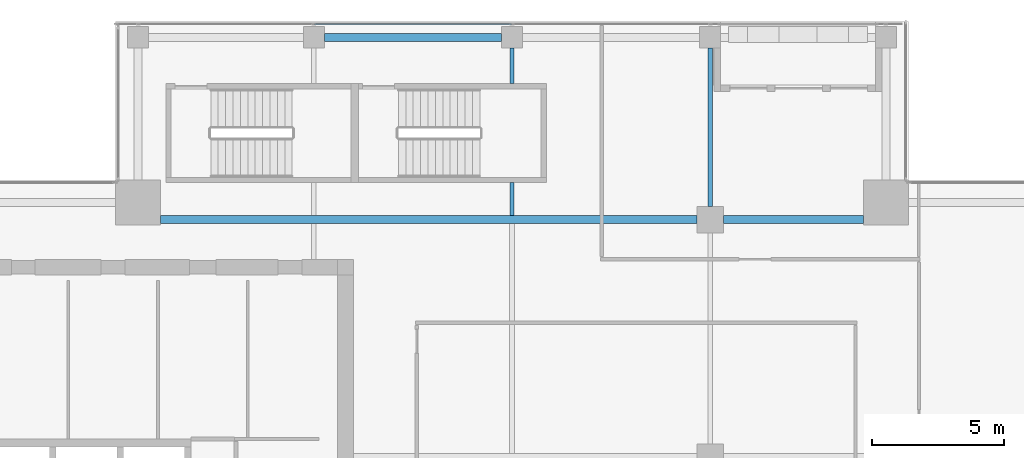
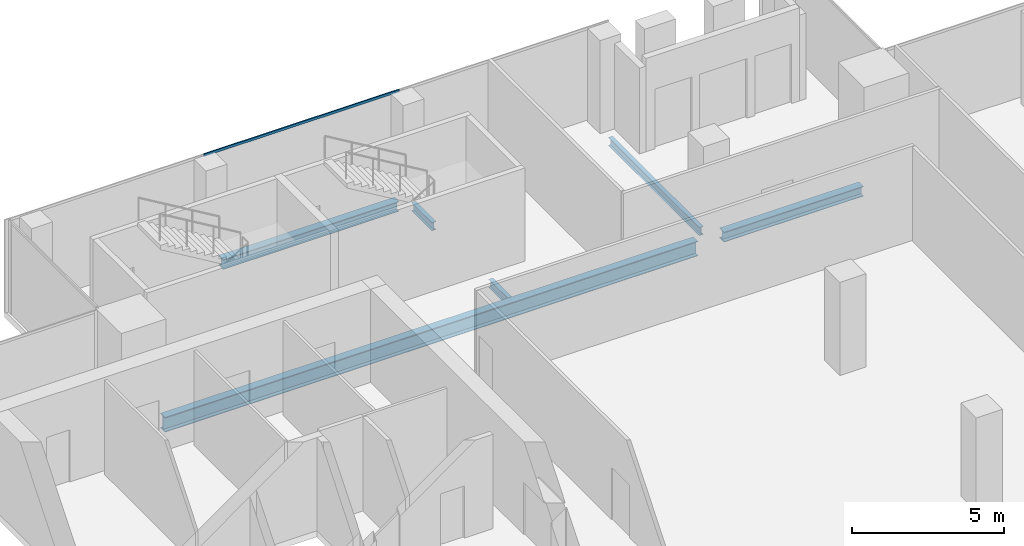
# One storey, part 16 of 29: 6 beams, 1 member, 1 element without a shape of its own.
"""IFC4 building model written with IfcOpenShell, lengths in metres."""

from ifc_helpers import new_model, si_unit, direction, frame, origin, origin_2d, place, context, subcontext, project, spatial, hollow_rectangle, i_section, extrude, source, transform, mapped, material, material_profile, profile_set, type_object, element, aggregate, save


model = new_model("IFC4")

# Units and contexts
model_context = context("Model", 3, precision=1e-05, world=origin(), true_north=direction((0.0, 1.0)))
body_context = subcontext(model_context, "Body", "Model", "MODEL_VIEW")
ifc_project = project(units=[si_unit("LENGTHUNIT", "METRE"), si_unit("AREAUNIT", "SQUARE_METRE"), si_unit("VOLUMEUNIT", "CUBIC_METRE"), si_unit("PLANEANGLEUNIT", "RADIAN"), si_unit("MASSUNIT", "GRAM", prefix="KILO")], contexts=[model_context])

# Site, building, storey
site_placement = place(None, origin())
site = spatial("IfcSite", under=ifc_project, at=site_placement, CompositionType="ELEMENT")
building_placement = place(site_placement, origin())
building = spatial("IfcBuilding", under=site, at=building_placement, Name="Khomas Fold Tower", CompositionType="ELEMENT")
storey_placement = place(building_placement, frame((0.0, 0.0, 322.199951171875)))
storey = spatial("IfcBuildingStorey", under=building, at=storey_placement, Name="L73", CompositionType="ELEMENT", Elevation=322.199951171875)

# Beams
ifc_material_1 = material(Name="Steel S355", Category="steel")
ifc_material_profile_1 = material_profile(ifc_material_1, i_section(OverallWidth=0.159912109375, OverallDepth=0.330078125, WebThickness=0.007568359375, FlangeThickness=0.011474609375, at=origin_2d()), Name="IPE 330")
ifc_profile_set_1 = profile_set([ifc_material_profile_1], Name="Steel S355")
beam_type_1 = type_object("IfcBeamType", Name="IPE 330 beam JB1", PredefinedType="BEAM", material=ifc_profile_set_1)
shared_shape_1 = source(origin(), body_context, "Body", "SweptSolid", [
    extrude(i_section(OverallWidth=0.159912109375, OverallDepth=0.330078125, WebThickness=0.007568359375, FlangeThickness=0.011474609375, at=origin_2d()), origin(), (0.0, 0.0, 1.0), 1.25),
])
beam_1_placement = place(storey_placement, frame((27.0, 40.64990234375, -0.4150390625), z_axis=(0.0, 1.0, 0.0), x_axis=(-1.0, 0.0, 0.0)))
element("IfcBeam", 1, at=beam_1_placement, inside=storey, type_object=beam_type_1, Name="JB1", PredefinedType="BEAM", context=body_context, shape_type="MappedRepresentation", body=[
    mapped(shared_shape_1, transform((0.0, 0.0, 0.0))),
])
shared_shape_2 = source(origin(), body_context, "Body", "SweptSolid", [
    extrude(i_section(OverallWidth=0.159912109375, OverallDepth=0.330078125, WebThickness=0.007568359375, FlangeThickness=0.011474609375, at=origin_2d()), origin(), (0.0, 0.0, 1.0), 1.35009765625),
])
beam_2_placement = place(storey_placement, frame((27.0, 45.64990234375, -0.4150390625), z_axis=(0.0, 1.0, 0.0), x_axis=(-1.0, 0.0, 0.0)))
element("IfcBeam", 2, at=beam_2_placement, inside=storey, type_object=beam_type_1, Name="JB1", PredefinedType="BEAM", context=body_context, shape_type="MappedRepresentation", body=[
    mapped(shared_shape_2, transform((0.0, 0.0, 0.0))),
])
ifc_material_2 = material(Name="Steel S355", Category="steel")
ifc_material_profile_2 = material_profile(ifc_material_2, i_section(OverallWidth=0.300048828125, OverallDepth=0.39990234375, WebThickness=0.013427734375, FlangeThickness=0.02392578125, at=origin_2d()), Name="HE 400 B")
ifc_profile_set_2 = profile_set([ifc_material_profile_2], Name="Steel S355")
beam_type_2 = type_object("IfcBeamType", Name="HE 400 B spandrel SB5", PredefinedType="SPANDREL", material=ifc_profile_set_2)
shared_shape_3 = source(origin(), body_context, "Body", "SweptSolid", [
    extrude(i_section(OverallWidth=0.300048828125, OverallDepth=0.39990234375, WebThickness=0.013427734375, FlangeThickness=0.02392578125, at=origin_2d()), origin(), (0.0, 0.0, 1.0), 6.7001953125),
])
beam_3_placement = place(storey_placement, frame((19.89990234375, 47.39990234375, -0.449951171875), z_axis=(1.0, 0.0, 0.0), x_axis=(0.0, 1.0, 0.0)))
element("IfcBeam", 3, at=beam_3_placement, inside=storey, type_object=beam_type_2, Name="SB5", PredefinedType="SPANDREL", context=body_context, shape_type="MappedRepresentation", body=[
    mapped(shared_shape_3, transform((0.0, 0.0, 0.0))),
])
ifc_material_3 = material(Name="Steel S355", Category="steel")
ifc_material_profile_3 = material_profile(ifc_material_3, i_section(OverallWidth=0.300048828125, OverallDepth=0.60009765625, WebThickness=0.015380859375, FlangeThickness=0.030029296875, at=origin_2d()), Name="HE 600 B")
ifc_profile_set_3 = profile_set([ifc_material_profile_3], Name="Steel S355")
beam_type_3 = type_object("IfcBeamType", Name="HE 600 B beam GB5", PredefinedType="BEAM", material=ifc_profile_set_3)
shared_shape_4 = source(origin(), body_context, "Body", "SweptSolid", [
    extrude(i_section(OverallWidth=0.300048828125, OverallDepth=0.60009765625, WebThickness=0.015380859375, FlangeThickness=0.030029296875, at=origin_2d()), origin(), (0.0, 0.0, 1.0), 20.300048828125),
])
beam_4_placement = place(storey_placement, frame((13.699951171875, 40.5, -0.550048828125), z_axis=(1.0, 0.0, 0.0), x_axis=(0.0, 1.0, 0.0)))
element("IfcBeam", 4, at=beam_4_placement, inside=storey, type_object=beam_type_3, Name="GB5", PredefinedType="BEAM", context=body_context, shape_type="MappedRepresentation", body=[
    mapped(shared_shape_4, transform((0.0, 0.0, 0.0))),
])
ifc_material_4 = material(Name="Steel S355", Category="steel")
ifc_material_profile_4 = material_profile(ifc_material_4, i_section(OverallWidth=0.300048828125, OverallDepth=0.39990234375, WebThickness=0.013427734375, FlangeThickness=0.02392578125, at=origin_2d()), Name="HE 400 B")
ifc_profile_set_4 = profile_set([ifc_material_profile_4], Name="Steel S355")
beam_type_4 = type_object("IfcBeamType", Name="HE 400 B beam GB1", PredefinedType="BEAM", material=ifc_profile_set_4)
shared_shape_5 = source(origin(), body_context, "Body", "SweptSolid", [
    extrude(i_section(OverallWidth=0.300048828125, OverallDepth=0.39990234375, WebThickness=0.013427734375, FlangeThickness=0.02392578125, at=origin_2d()), origin(), (0.0, 0.0, 1.0), 5.300048828125),
])
beam_5_placement = place(storey_placement, frame((35.0, 40.5, -0.449951171875), z_axis=(1.0, 0.0, 0.0), x_axis=(0.0, 1.0, 0.0)))
element("IfcBeam", 5, at=beam_5_placement, inside=storey, type_object=beam_type_4, Name="GB1", PredefinedType="BEAM", context=body_context, shape_type="MappedRepresentation", body=[
    mapped(shared_shape_5, transform((0.0, 0.0, 0.0))),
])
shared_shape_6 = source(origin(), body_context, "Body", "SweptSolid", [
    extrude(i_section(OverallWidth=0.159912109375, OverallDepth=0.330078125, WebThickness=0.007568359375, FlangeThickness=0.011474609375, at=origin_2d()), origin(), (0.0, 0.0, 1.0), 6.0),
])
beam_6_placement = place(storey_placement, frame((34.5, 41.0, -0.4150390625), z_axis=(0.0, 1.0, 0.0), x_axis=(-1.0, 0.0, 0.0)))
element("IfcBeam", 6, at=beam_6_placement, inside=storey, type_object=beam_type_1, Name="JB1", PredefinedType="BEAM", context=body_context, shape_type="MappedRepresentation", body=[
    mapped(shared_shape_6, transform((0.0, 0.0, 0.0))),
])

# Curtain wall, member
ifc_material_5 = material(Name="Aluminium framed double glazing", Category="aluminium")
curtain_wall_type = type_object("IfcCurtainWallType", Name="SK-Unitised clear-glass wall, upper floors CW3", PredefinedType="NOTDEFINED", material=ifc_material_5)
curtain_wall_placement = place(storey_placement, origin())
curtain_wall = element("IfcCurtainWall", 7, at=curtain_wall_placement, inside=storey, type_object=curtain_wall_type, Name="CW3 run L73 06-1", PredefinedType="NOTDEFINED")
ifc_material_6 = material(Name="Aluminium", Category="aluminium")
ifc_material_profile_5 = material_profile(ifc_material_6, hollow_rectangle(XDim=0.050048828125, YDim=0.10009765625, WallThickness=0.00390625, at=origin_2d()), Name="SK-Unitised clear-glass wall, upper floors transom CW3-T")
ifc_profile_set_5 = profile_set([ifc_material_profile_5], Name="Aluminium")
member_type = type_object("IfcMemberType", Name="SK-Unitised clear-glass wall, upper floors transom CW3-T", PredefinedType="USERDEFINED", material=ifc_profile_set_5)
shared_shape_7 = source(origin(), body_context, "Body", "SweptSolid", [
    extrude(hollow_rectangle(XDim=0.050048828125, YDim=0.10009765625, WallThickness=0.00390625, at=origin_2d()), origin(), (0.0, 0.0, 1.0), 7.4501953125),
])
member_placement = place(storey_placement, frame((26.97509765625, 47.89990234375, 3.699951171875), z_axis=(-1.0, 0.0, 0.0), x_axis=(0.0, -1.0, 0.0)))
member = element("IfcMember", 8, at=member_placement, type_object=member_type, Name="CW3 transom 3", ObjectType="TRANSOM", PredefinedType="USERDEFINED", context=body_context, shape_type="MappedRepresentation", body=[
    mapped(shared_shape_7, transform((0.0, 0.0, 0.0))),
])
aggregate(curtain_wall, [member])

save(model, "model.ifc")
